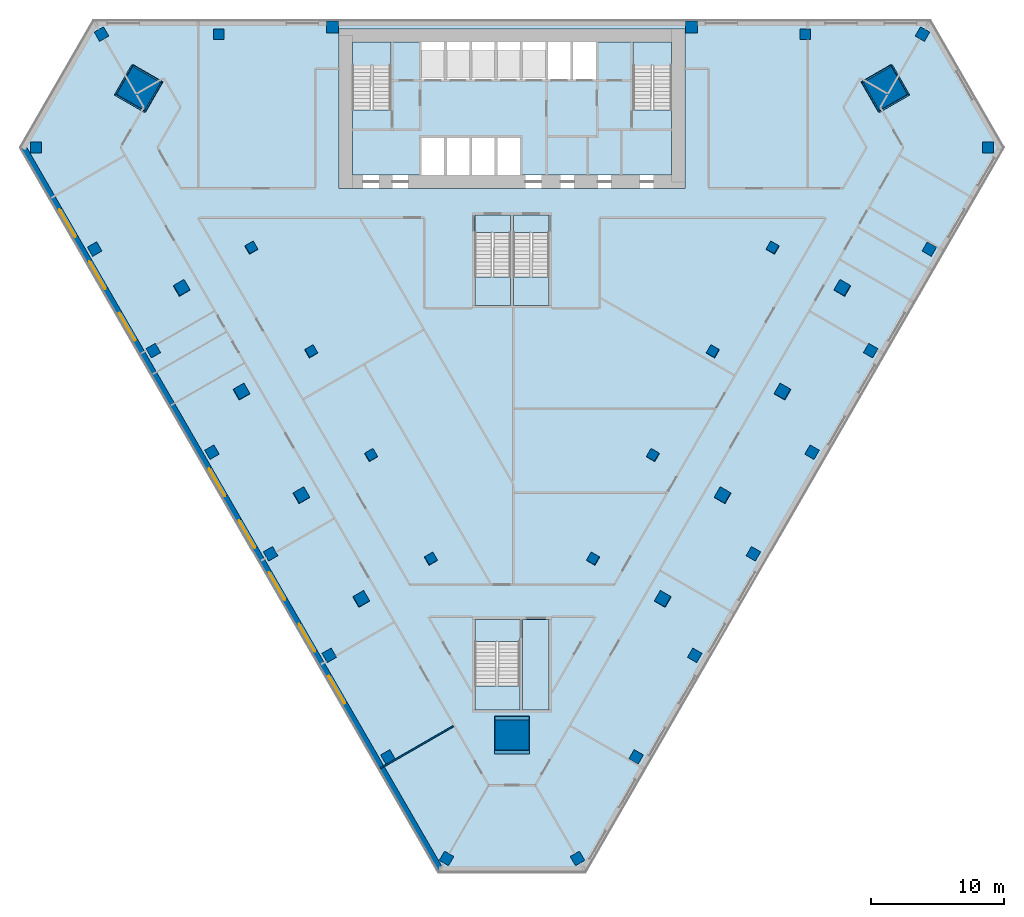
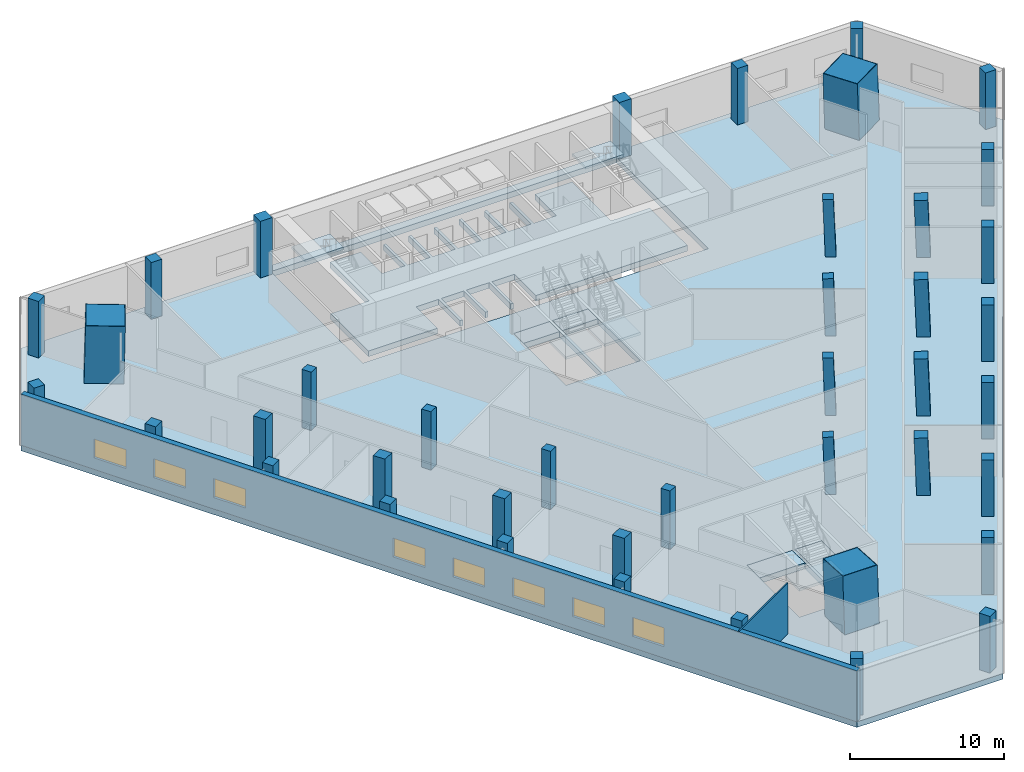
# One storey, part 1 of 9: 41 columns, 11 slabs, 8 windows, 3 members, 2 walls, 8 openings, 5 elements without a shape of their own.
"""IFC4 building model written with IfcOpenShell, lengths in metres."""

from ifc_helpers import new_model, si_unit, direction, frame, frame_2d, origin, origin_2d, place, context, subcontext, project, spatial, polyline, rectangle, hollow_rectangle, outline, extrude, material, layer, layer_set, material_profile, profile_set, type_object, element, fill, aggregate, save


model = new_model("IFC4")

# Units and contexts
model_context = context("Model", 3, precision=1e-05, world=origin(), true_north=direction((0.0, 1.0)))
body_context = subcontext(model_context, "Body", "Model", "MODEL_VIEW")
ifc_project = project(units=[si_unit("LENGTHUNIT", "METRE"), si_unit("AREAUNIT", "SQUARE_METRE"), si_unit("VOLUMEUNIT", "CUBIC_METRE"), si_unit("PLANEANGLEUNIT", "RADIAN"), si_unit("MASSUNIT", "GRAM", prefix="KILO")], contexts=[model_context])

# Site, building, storey
site_placement = place(None, origin())
site = spatial("IfcSite", under=ifc_project, at=site_placement, CompositionType="ELEMENT")
building_placement = place(site_placement, origin())
building = spatial("IfcBuilding", under=site, at=building_placement, Name="Altiplano Prism Tower", CompositionType="ELEMENT")
storey_placement = place(building_placement, frame((0.0, 0.0, 13.5)))
storey = spatial("IfcBuildingStorey", under=building, at=storey_placement, Name="L02", CompositionType="ELEMENT", Elevation=13.5)

# Columns
ifc_material_1 = material(Name="Concrete C60/75", Category="concrete")
ifc_material_profile_1 = material_profile(ifc_material_1, rectangle(XDim=0.699951171875, YDim=0.699951171875, at=origin_2d()), Name="Inner column 700")
ifc_profile_set_1 = profile_set([ifc_material_profile_1], Name="Concrete C60/75")
column_type_1 = type_object("IfcColumnType", Name="Inner column 700", PredefinedType="COLUMN", material=ifc_profile_set_1)
for number, where, z_axis, x_axis, name in (
    (1, (65.39208984375, 87.9208984375, -0.021240234375), (0.022221950523, 0.03848191432, 0.999012175694), (-0.865639849546, -0.499185981283, 0.038483853354), "Inner column I11 L02"),
    (2, (69.89208984375, 80.126708984375, -0.021240234375), (0.022221950523, 0.03848191432, 0.999012175694), (-0.865641997039, -0.499182264645, 0.038483757958), "Inner column I12 L02"),
    (3, (74.39208984375, 72.33251953125, -0.021240234375), (0.022221996839, 0.038427794534, 0.999014257888), (-0.865946623326, -0.498656758727, 0.038443237712), "Inner column I13 L02"),
    (4, (78.89208984375, 64.538330078125, -0.021240234375), (0.022221996839, 0.038427794534, 0.999014257888), (-0.865946623326, -0.498656758727, 0.038443237712), "Inner column I14 L02"),
    (5, (91.10791015625, 64.538330078125, -0.021240234375), (-0.022221996839, 0.038427794534, 0.999014257888), (-0.4996425006, -0.86594730878, 0.022195270002), "Inner column I21 L02"),
    (6, (95.60791015625, 72.33251953125, -0.021240234375), (-0.022221996839, 0.038427794534, 0.999014257888), (-0.499642470373, -0.865947326186, 0.022195271344), "Inner column I22 L02"),
    (7, (100.10791015625, 80.126708984375, -0.021240234375), (-0.022221950523, 0.03848191432, 0.999012175694), (-0.500170073839, -0.865642087712, 0.022218758247), "Inner column I23 L02"),
    (8, (104.60791015625, 87.9208984375, -0.021240234375), (-0.022221950523, 0.03848191432, 0.999012175694), (-0.500170073839, -0.865642087712, 0.022218758247), "Inner column I24 L02"),
):
    element("IfcColumn", number, at=place(storey_placement, frame(where, z_axis=z_axis, x_axis=x_axis)), inside=storey, type_object=column_type_1, Name=name, PredefinedType="COLUMN", context=body_context, shape_type="SweptSolid", body=[
        extrude(rectangle(XDim=0.699951171875, YDim=0.699951171875, at=origin_2d()), origin(), (0.0, 0.0, 1.0), 4.50439453125),
    ])
ifc_material_2 = material(Name="Concrete C70/85", Category="concrete")
ifc_material_profile_2 = material_profile(ifc_material_2, rectangle(XDim=2.52001953125, YDim=2.52001953125, at=origin_2d()), Name="Mega column infill 2600")
ifc_profile_set_2 = profile_set([ifc_material_profile_2], Name="Concrete C70/85")
column_type_2 = type_object("IfcColumnType", Name="Mega column infill 2600", PredefinedType="COLUMN", material=ifc_profile_set_2)
column_1_placement = place(storey_placement, frame((56.869384765625, 99.894775390625, 0.0), z_axis=(0.028361930921, 0.009273212596, 0.999554705057), x_axis=(-0.866194817713, 0.499308230352, 0.01994564791)))
element("IfcColumn", 9, at=column_1_placement, inside=storey, type_object=column_type_2, Name="Mega column M0 L02", PredefinedType="COLUMN", context=body_context, shape_type="SweptSolid", body=[
    extrude(rectangle(XDim=2.52001953125, YDim=2.52001953125, at=origin_2d()), origin(), (0.0, 0.0, 1.0), 4.501953125),
])
column_2_placement = place(storey_placement, frame((85.0, 51.171142578125, 0.0), z_axis=(0.0, 0.058331497301, 0.998297268564), x_axis=(-1.0, 0.0, 0.0)))
element("IfcColumn", 10, at=column_2_placement, inside=storey, type_object=column_type_2, Name="Mega column M1 L02", PredefinedType="COLUMN", context=body_context, shape_type="SweptSolid", body=[
    extrude(rectangle(XDim=2.52001953125, YDim=2.52001953125, at=origin_2d()), origin(), (0.0, 0.0, 1.0), 4.507568359375),
])
column_3_placement = place(storey_placement, frame((113.130615234375, 99.894775390625, 0.0), z_axis=(-0.028361930921, 0.009273212596, 0.999554705057), x_axis=(0.498900930689, -0.866374802629, 0.022193754232)))
element("IfcColumn", 11, at=column_3_placement, inside=storey, type_object=column_type_2, Name="Mega column M2 L02", PredefinedType="COLUMN", context=body_context, shape_type="SweptSolid", body=[
    extrude(rectangle(XDim=2.52001953125, YDim=2.52001953125, at=origin_2d()), origin(), (0.0, 0.0, 1.0), 4.501953125),
])
ifc_material_profile_3 = material_profile(ifc_material_1, rectangle(XDim=0.89990234375, YDim=0.89990234375, at=origin_2d()), Name="Perimeter column 900")
ifc_profile_set_3 = profile_set([ifc_material_profile_3], Name="Concrete C60/75")
column_type_3 = type_object("IfcColumnType", Name="Perimeter column 900", PredefinedType="COLUMN", material=ifc_profile_set_3)
for number, where, z_axis, x_axis, name in (
    (12, (98.5, 104.550048828125, 0.0), (0.0, 0.0, 1.0), (1.0, 0.0, 0.0), "Perimeter column P01 L02"),
    (13, (71.5, 104.550048828125, 0.0), (0.0, 0.0, 1.0), (1.0, 0.0, 0.0), "Perimeter column P04 L02"),
):
    element("IfcColumn", number, at=place(storey_placement, frame(where, z_axis=z_axis, x_axis=x_axis)), inside=storey, type_object=column_type_3, Name=name, PredefinedType="COLUMN", context=body_context, shape_type="SweptSolid", body=[
        extrude(rectangle(XDim=0.89990234375, YDim=0.89990234375, at=origin_2d()), origin(), (0.0, 0.0, 1.0), 4.5),
    ])
for number, where, z_axis, x_axis, name in (
    (14, (60.152587890625, 84.895751953125, -0.02734375), (0.022221996839, 0.038427794534, 0.999014257888), (-0.865947521527, -0.498655202022, 0.038443197811), "Perimeter column P11 L02"),
    (15, (64.652587890625, 77.1015625, -0.02734375), (0.022221996839, 0.038427794534, 0.999014257888), (-0.865947521527, -0.498655202022, 0.038443197811), "Perimeter column P12 L02"),
    (16, (69.152587890625, 69.307373046875, -0.02734375), (0.022221996839, 0.038427794534, 0.999014257888), (-0.865946623326, -0.498656758727, 0.038443237712), "Perimeter column P13 L02"),
    (17, (73.652587890625, 61.512939453125, -0.02734375), (0.022221950523, 0.03848191432, 0.999012175694), (-0.865641089157, -0.499183835908, 0.038483798288), "Perimeter column P14 L02"),
    (18, (96.347412109375, 61.512939453125, -0.02734375), (-0.022221950523, 0.03848191432, 0.999012175694), (-0.50017166021, -0.865641172911, 0.022218687721), "Perimeter column P21 L02"),
    (19, (100.847412109375, 69.307373046875, -0.02734375), (-0.022221996839, 0.038427794534, 0.999014257888), (-0.499642470373, -0.865947326186, 0.022195271344), "Perimeter column P22 L02"),
    (20, (105.347412109375, 77.1015625, -0.02734375), (-0.022221996839, 0.038427794534, 0.999014257888), (-0.499640913669, -0.865948222615, 0.022195340453), "Perimeter column P23 L02"),
    (21, (109.847412109375, 84.895751953125, -0.02734375), (-0.022221996839, 0.038427794534, 0.999014257888), (-0.499640913669, -0.865948222615, 0.022195340453), "Perimeter column P24 L02"),
):
    element("IfcColumn", number, at=place(storey_placement, frame(where, z_axis=z_axis, x_axis=x_axis)), inside=storey, type_object=column_type_3, Name=name, PredefinedType="COLUMN", context=body_context, shape_type="SweptSolid", body=[
        extrude(rectangle(XDim=0.89990234375, YDim=0.89990234375, at=origin_2d()), origin(), (0.0, 0.0, 1.0), 4.50439453125),
    ])
ifc_material_profile_4 = material_profile(ifc_material_1, rectangle(XDim=0.800048828125, YDim=0.800048828125, at=origin_2d()), Name="Podium column 800")
ifc_profile_set_4 = profile_set([ifc_material_profile_4], Name="Concrete C60/75")
column_type_4 = type_object("IfcColumnType", Name="Podium column 800", PredefinedType="COLUMN", material=ifc_profile_set_4)
for number, where, z_axis, x_axis, name in (
    (22, (115.85791015625, 104.0, 0.0), (0.0, 0.0, 1.0), (0.500000015115, 0.866025395058, 0.0), "PC Q01 L02"),
    (23, (107.041259765625, 104.0, 0.0), (0.0, 0.0, 1.0), (1.0, 0.0, 0.0), "PC Q02 L02"),
    (24, (62.958740234375, 104.0, 0.0), (0.0, 0.0, 1.0), (1.0, 0.0, 0.0), "PC Q07 L02"),
    (25, (54.14208984375, 104.0, 0.0), (0.0, 0.0, 1.0), (0.866025395058, 0.500000015115, 0.0), "PC Q08 L02"),
    (26, (49.219482421875, 95.4736328125, 0.0), (0.0, 0.0, 1.0), (1.0, 1.7453e-08, 0.0), "PC Q09 L02"),
    (27, (53.627685546875, 87.83837890625, 0.0), (0.0, 0.0, 1.0), (0.866025412511, 0.499999984885, 0.0), "PC Q10 L02"),
    (28, (58.035888671875, 80.203125, 0.0), (0.0, 0.0, 1.0), (0.866025412511, 0.499999984885, 0.0), "PC Q11 L02"),
    (29, (62.4443359375, 72.567626953125, 0.0), (0.0, 0.0, 1.0), (0.866025412511, 0.499999984885, 0.0), "PC Q12 L02"),
    (30, (66.8525390625, 64.932373046875, 0.0), (0.0, 0.0, 1.0), (0.866025412511, 0.499999984885, 0.0), "PC Q13 L02"),
    (31, (71.2607421875, 57.296875, 0.0), (0.0, 0.0, 1.0), (0.866025412511, 0.499999984885, 0.0), "PC Q14 L02"),
    (32, (75.669189453125, 49.66162109375, 0.0), (0.0, 0.0, 1.0), (0.866025412511, 0.499999984885, 0.0), "PC Q15 L02"),
    (33, (80.077392578125, 42.0263671875, 0.0), (0.0, 0.0, 1.0), (0.5, 0.866025403784, 0.0), "PC Q16 L02"),
    (34, (89.922607421875, 42.0263671875, 0.0), (0.0, 0.0, 1.0), (0.866025403784, 0.5, 0.0), "PC Q17 L02"),
    (35, (94.330810546875, 49.66162109375, 0.0), (0.0, 0.0, 1.0), (0.499999984885, 0.866025412511, 0.0), "PC Q18 L02"),
    (36, (98.7392578125, 57.296875, 0.0), (0.0, 0.0, 1.0), (0.499999984885, 0.866025412511, 0.0), "PC Q19 L02"),
    (37, (103.1474609375, 64.932373046875, 0.0), (0.0, 0.0, 1.0), (0.499999984885, 0.866025412511, 0.0), "PC Q20 L02"),
    (38, (107.5556640625, 72.567626953125, 0.0), (0.0, 0.0, 1.0), (0.499999984885, 0.866025412511, 0.0), "PC Q21 L02"),
    (39, (111.964111328125, 80.203125, 0.0), (0.0, 0.0, 1.0), (0.499999984885, 0.866025412511, 0.0), "PC Q22 L02"),
    (40, (116.372314453125, 87.83837890625, 0.0), (0.0, 0.0, 1.0), (0.499999984885, 0.866025412511, 0.0), "PC Q23 L02"),
    (41, (120.780517578125, 95.4736328125, 0.0), (0.0, 0.0, 1.0), (1.7453e-08, 1.0, 0.0), "PC Q24 L02"),
):
    element("IfcColumn", number, at=place(storey_placement, frame(where, z_axis=z_axis, x_axis=x_axis)), inside=storey, type_object=column_type_4, Name=name, PredefinedType="COLUMN", context=body_context, shape_type="SweptSolid", body=[
        extrude(rectangle(XDim=0.800048828125, YDim=0.800048828125, at=origin_2d()), origin(), (0.0, 0.0, 1.0), 4.5),
    ])

# Members
ifc_material_3 = material(Name="Steel S460", Category="steel")
ifc_material_profile_5 = material_profile(ifc_material_3, hollow_rectangle(XDim=2.60009765625, YDim=2.60009765625, WallThickness=0.0400390625, at=origin_2d()), Name="Mega column tube 2600")
ifc_profile_set_5 = profile_set([ifc_material_profile_5], Name="Steel S460")
member_type = type_object("IfcMemberType", Name="Mega column tube 2600", PredefinedType="POST", material=ifc_profile_set_5)
member_1_placement = place(storey_placement, frame((56.869384765625, 99.894775390625, 0.0), z_axis=(0.028361930921, 0.009273212596, 0.999554705057), x_axis=(-0.866194817713, 0.499308230352, 0.01994564791)))
element("IfcMember", 42, at=member_1_placement, inside=storey, type_object=member_type, Name="Mega column tube M0 L02", PredefinedType="POST", context=body_context, shape_type="SweptSolid", body=[
    extrude(hollow_rectangle(XDim=2.60009765625, YDim=2.60009765625, WallThickness=0.0400390625, at=origin_2d()), origin(), (0.0, 0.0, 1.0), 4.501953125),
])
member_2_placement = place(storey_placement, frame((85.0, 51.171142578125, 0.0), z_axis=(0.0, 0.058331497301, 0.998297268564), x_axis=(-1.0, 0.0, 0.0)))
element("IfcMember", 43, at=member_2_placement, inside=storey, type_object=member_type, Name="Mega column tube M1 L02", PredefinedType="POST", context=body_context, shape_type="SweptSolid", body=[
    extrude(hollow_rectangle(XDim=2.60009765625, YDim=2.60009765625, WallThickness=0.0400390625, at=origin_2d()), origin(), (0.0, 0.0, 1.0), 4.507568359375),
])
member_3_placement = place(storey_placement, frame((113.130615234375, 99.894775390625, 0.0), z_axis=(-0.028361930921, 0.009273212596, 0.999554705057), x_axis=(0.498900930689, -0.866374802629, 0.022193754232)))
element("IfcMember", 44, at=member_3_placement, inside=storey, type_object=member_type, Name="Mega column tube M2 L02", PredefinedType="POST", context=body_context, shape_type="SweptSolid", body=[
    extrude(hollow_rectangle(XDim=2.60009765625, YDim=2.60009765625, WallThickness=0.0400390625, at=origin_2d()), origin(), (0.0, 0.0, 1.0), 4.501953125),
])

# Slabs
ifc_material_4 = material(Name="Concrete C40/50", Category="concrete")
ifc_layer_1 = layer(ifc_material_4, 0.449951171875)
ifc_layer_set_1 = layer_set([ifc_layer_1], Name="Concrete C40/50")
slab_type_1 = type_object("IfcSlabType", Name="Core floor slab 450", PredefinedType="FLOOR", material=ifc_layer_set_1)
slab_1_placement = place(storey_placement, frame((0.0, 0.0, -0.449951171875)))
element("IfcSlab", 45, at=slab_1_placement, inside=storey, type_object=slab_type_1, Name="Core floor slab L02", PredefinedType="FLOOR", context=body_context, shape_type="SweptSolid", body=[
    extrude(outline(polyline([(97.0, 98.31005859375), (94.10009765625, 98.31005859375), (94.10009765625, 103.39990234375), (91.300048828125, 103.39990234375), (91.300048828125, 100.60009765625), (89.60009765625, 100.60009765625), (89.60009765625, 103.39990234375), (89.39990234375, 103.39990234375), (89.39990234375, 100.60009765625), (87.699951171875, 100.60009765625), (87.699951171875, 103.39990234375), (87.5, 103.39990234375), (87.5, 100.60009765625), (85.800048828125, 100.60009765625), (85.800048828125, 103.39990234375), (85.60009765625, 103.39990234375), (85.60009765625, 100.60009765625), (83.89990234375, 100.60009765625), (83.89990234375, 103.39990234375), (83.699951171875, 103.39990234375), (83.699951171875, 100.60009765625), (82.0, 100.60009765625), (82.0, 103.39990234375), (81.800048828125, 103.39990234375), (81.800048828125, 100.60009765625), (80.10009765625, 100.60009765625), (80.10009765625, 103.39990234375), (79.89990234375, 103.39990234375), (79.89990234375, 100.60009765625), (78.199951171875, 100.60009765625), (78.199951171875, 103.39990234375), (75.89990234375, 103.39990234375), (75.89990234375, 98.31005859375), (73.0, 98.31005859375), (73.0, 93.39990234375), (78.199951171875, 93.39990234375), (78.199951171875, 96.199951171875), (79.89990234375, 96.199951171875), (79.89990234375, 93.39990234375), (80.10009765625, 93.39990234375), (80.10009765625, 96.199951171875), (81.800048828125, 96.199951171875), (81.800048828125, 93.39990234375), (82.0, 93.39990234375), (82.0, 96.199951171875), (83.699951171875, 96.199951171875), (83.699951171875, 93.39990234375), (83.89990234375, 93.39990234375), (83.89990234375, 96.199951171875), (85.60009765625, 96.199951171875), (85.60009765625, 93.39990234375), (97.0, 93.39990234375), (97.0, 98.31005859375)])), origin(), (0.0, 0.0, 1.0), 0.449951171875),
])
slab_2_placement = place(storey_placement, frame((0.0, 0.0, -0.449951171875)))
element("IfcSlab", 46, at=slab_2_placement, inside=storey, type_object=slab_type_1, Name="Stair 3A landing slab L02", PredefinedType="FLOOR", context=body_context, shape_type="SweptSolid", body=[
    extrude(outline(polyline([(82.199951171875, 89.096923828125), (84.89990234375, 89.096923828125), (84.89990234375, 90.39990234375), (82.199951171875, 90.39990234375), (82.199951171875, 89.096923828125)])), origin(), (0.0, 0.0, 1.0), 0.449951171875),
])
slab_3_placement = place(storey_placement, frame((0.0, 0.0, -0.449951171875)))
element("IfcSlab", 47, at=slab_3_placement, inside=storey, type_object=slab_type_1, Name="Stair 3B landing slab L02", PredefinedType="FLOOR", context=body_context, shape_type="SweptSolid", body=[
    extrude(outline(polyline([(85.10009765625, 89.096923828125), (87.800048828125, 89.096923828125), (87.800048828125, 90.39990234375), (85.10009765625, 90.39990234375), (85.10009765625, 89.096923828125)])), origin(), (0.0, 0.0, 1.0), 0.449951171875),
])
slab_4_placement = place(storey_placement, frame((0.0, 0.0, -0.449951171875)))
element("IfcSlab", 48, at=slab_4_placement, inside=storey, type_object=slab_type_1, Name="Stair 4 landing slab L02", PredefinedType="FLOOR", context=body_context, shape_type="SweptSolid", body=[
    extrude(outline(polyline([(82.199951171875, 58.346923828125), (85.60009765625, 58.346923828125), (85.60009765625, 60.0), (82.199951171875, 60.0), (82.199951171875, 58.346923828125)])), origin(), (0.0, 0.0, 1.0), 0.449951171875),
])
slab_5_placement = place(storey_placement, frame((0.0, 0.0, -0.449951171875)))
element("IfcSlab", 49, at=slab_5_placement, inside=storey, type_object=slab_type_1, Name="Stair 4 lobby slab L02", PredefinedType="FLOOR", context=body_context, shape_type="SweptSolid", body=[
    extrude(outline(polyline([(85.800048828125, 53.199951171875), (87.800048828125, 53.199951171875), (87.800048828125, 60.0), (85.800048828125, 60.0), (85.800048828125, 53.199951171875)])), origin(), (0.0, 0.0, 1.0), 0.449951171875),
])
ifc_layer_2 = layer(ifc_material_4, 0.449951171875)
ifc_layer_set_2 = layer_set([ifc_layer_2], Name="Concrete C40/50")
slab_type_2 = type_object("IfcSlabType", Name="Post-tensioned flat slab 450", PredefinedType="FLOOR", material=ifc_layer_set_2)
slab_6_placement = place(storey_placement, frame((0.0, 0.0, -0.449951171875)))
element("IfcSlab", 50, at=slab_6_placement, inside=storey, type_object=slab_type_2, Name="Floor slab L02", PredefinedType="FLOOR", context=body_context, shape_type="SweptSolid", body=[
    extrude(outline(polyline([(53.564697265625, 105.0), (116.435302734375, 105.0), (121.935302734375, 95.4736328125), (90.5, 41.0263671875), (79.5, 41.0263671875), (48.064697265625, 95.4736328125), (53.564697265625, 105.0)]), holes=[polyline([(98.0, 92.39990234375), (98.0, 104.39990234375), (72.0, 104.39990234375), (72.0, 92.39990234375), (98.0, 92.39990234375)]), polyline([(82.199951171875, 83.60009765625), (84.89990234375, 83.60009765625), (84.89990234375, 90.39990234375), (82.199951171875, 90.39990234375), (82.199951171875, 83.60009765625)]), polyline([(85.10009765625, 90.39990234375), (85.10009765625, 83.60009765625), (87.800048828125, 83.60009765625), (87.800048828125, 90.39990234375), (85.10009765625, 90.39990234375)]), polyline([(85.60009765625, 60.0), (82.199951171875, 60.0), (82.199951171875, 53.199951171875), (85.60009765625, 53.199951171875), (85.60009765625, 60.0)]), polyline([(87.800048828125, 53.199951171875), (87.800048828125, 60.0), (85.800048828125, 60.0), (85.800048828125, 53.199951171875), (87.800048828125, 53.199951171875)])]), origin(), (0.0, 0.0, 1.0), 0.449951171875),
])

# Stair, slab
stair_type_1 = type_object("IfcStairType", Name="Exit stair 1400", PredefinedType="HALF_TURN_STAIR", material=ifc_material_4)
stair_1_placement = place(storey_placement, origin())
stair_1 = element("IfcStair", 51, at=stair_1_placement, inside=storey, type_object=stair_type_1, Name="L02 Exit Stair 1", PredefinedType="HALF_TURN_STAIR")
ifc_layer_3 = layer(ifc_material_4, 0.199951171875)
ifc_layer_set_3 = layer_set([ifc_layer_3], Name="Concrete C40/50")
slab_type_3 = type_object("IfcSlabType", Name="Stair landing 200", PredefinedType="LANDING", material=ifc_layer_set_3)
slab_7_placement = place(storey_placement, frame((0.0, 0.0, 2.050048828125)))
slab_7 = element("IfcSlab", 52, at=slab_7_placement, type_object=slab_type_3, Name="ST1 landing 1", PredefinedType="LANDING", context=body_context, shape_type="SweptSolid", body=[
    extrude(outline(polyline([(75.89990234375, 101.656982421875), (75.89990234375, 103.39990234375), (73.0, 103.39990234375), (73.0, 101.656982421875), (75.89990234375, 101.656982421875)])), origin(), (0.0, 0.0, 1.0), 0.199951171875),
])
aggregate(stair_1, [slab_7])

stair_2_placement = place(storey_placement, origin())
stair_2 = element("IfcStair", 53, at=stair_2_placement, inside=storey, type_object=stair_type_1, Name="L02 Exit Stair 2", PredefinedType="HALF_TURN_STAIR")
slab_8_placement = place(storey_placement, frame((0.0, 0.0, 2.050048828125)))
slab_8 = element("IfcSlab", 54, at=slab_8_placement, type_object=slab_type_3, Name="ST2 landing 1", PredefinedType="LANDING", context=body_context, shape_type="SweptSolid", body=[
    extrude(outline(polyline([(97.0, 101.656982421875), (97.0, 103.39990234375), (94.10009765625, 103.39990234375), (94.10009765625, 101.656982421875), (97.0, 101.656982421875)])), origin(), (0.0, 0.0, 1.0), 0.199951171875),
])
aggregate(stair_2, [slab_8])

stair_type_2 = type_object("IfcStairType", Name="Exit stair 1300", PredefinedType="HALF_TURN_STAIR", material=ifc_material_4)
stair_3_placement = place(storey_placement, origin())
stair_3 = element("IfcStair", 55, at=stair_3_placement, inside=storey, type_object=stair_type_2, Name="L02 Exit Stair 3A", PredefinedType="HALF_TURN_STAIR")
slab_9_placement = place(storey_placement, frame((0.0, 0.0, 2.050048828125)))
slab_9 = element("IfcSlab", 56, at=slab_9_placement, type_object=slab_type_3, Name="ST3A landing 1", PredefinedType="LANDING", context=body_context, shape_type="SweptSolid", body=[
    extrude(outline(polyline([(82.199951171875, 85.742919921875), (82.199951171875, 83.60009765625), (84.89990234375, 83.60009765625), (84.89990234375, 85.742919921875), (82.199951171875, 85.742919921875)])), origin(), (0.0, 0.0, 1.0), 0.199951171875),
])
aggregate(stair_3, [slab_9])

stair_4_placement = place(storey_placement, origin())
stair_4 = element("IfcStair", 57, at=stair_4_placement, inside=storey, type_object=stair_type_2, Name="L02 Exit Stair 3B", PredefinedType="HALF_TURN_STAIR")
slab_10_placement = place(storey_placement, frame((0.0, 0.0, 2.050048828125)))
slab_10 = element("IfcSlab", 58, at=slab_10_placement, type_object=slab_type_3, Name="ST3B landing 1", PredefinedType="LANDING", context=body_context, shape_type="SweptSolid", body=[
    extrude(outline(polyline([(85.10009765625, 85.742919921875), (85.10009765625, 83.60009765625), (87.800048828125, 83.60009765625), (87.800048828125, 85.742919921875), (85.10009765625, 85.742919921875)])), origin(), (0.0, 0.0, 1.0), 0.199951171875),
])
aggregate(stair_4, [slab_10])

stair_type_3 = type_object("IfcStairType", Name="Exit stair 1650", PredefinedType="HALF_TURN_STAIR", material=ifc_material_4)
stair_5_placement = place(storey_placement, origin())
stair_5 = element("IfcStair", 59, at=stair_5_placement, inside=storey, type_object=stair_type_3, Name="L02 Exit Stair 4", PredefinedType="HALF_TURN_STAIR")
slab_11_placement = place(storey_placement, frame((0.0, 0.0, 2.050048828125)))
slab_11 = element("IfcSlab", 60, at=slab_11_placement, type_object=slab_type_3, Name="ST4 landing 1", PredefinedType="LANDING", context=body_context, shape_type="SweptSolid", body=[
    extrude(outline(polyline([(82.199951171875, 54.992919921875), (82.199951171875, 53.199951171875), (85.60009765625, 53.199951171875), (85.60009765625, 54.992919921875), (82.199951171875, 54.992919921875)])), origin(), (0.0, 0.0, 1.0), 0.199951171875),
])
aggregate(stair_5, [slab_11])

# Wall
ifc_material_5 = material(Name="Plasterboard on steel stud", Category="steel")
ifc_layer_4 = layer(ifc_material_5, 0.10009765625)
ifc_layer_set_4 = layer_set([ifc_layer_4], Name="Plasterboard on steel stud")
wall_type_1 = type_object("IfcWallType", Name="Partition 100 wet", PredefinedType="PARTITIONING", material=ifc_layer_set_4)
wall_1_placement = place(storey_placement, frame((75.118896484375, 48.814453125, 0.0), z_axis=(0.0, 0.0, 1.0), x_axis=(0.866025537322, 0.499999768706, 0.0)))
element("IfcWall", 61, at=wall_1_placement, inside=storey, type_object=wall_type_1, Name="Partition P03 L02 042", PredefinedType="PARTITIONING", context=body_context, shape_type="SweptSolid", body=[
    extrude(rectangle(XDim=6.3251953125, YDim=0.10009765625, at=frame_2d((3.16259765625, 0.0))), origin(), (0.0, 0.0, 1.0), 4.050048828125),
])

# Wall, openings, windows
ifc_material_6 = material(Name="Concrete C40", Category="concrete")
ifc_layer_5 = layer(ifc_material_6, 0.39990234375)
ifc_layer_set_5 = layer_set([ifc_layer_5], Name="Concrete C40")
wall_type_2 = type_object("IfcWallType", Name="Stone-clad podium wall 400", PredefinedType="SOLIDWALL", material=ifc_layer_set_5)
wall_2_placement = place(storey_placement, frame((79.673095703125, 41.126220703125, 0.0), z_axis=(0.0, 0.0, 1.0), x_axis=(-0.499997306052, 0.866026959131, 0.0)))
wall_2 = element("IfcWall", 62, at=wall_2_placement, inside=storey, type_object=wall_type_2, Name="External wall south-west face L02", PredefinedType="SOLIDWALL", context=body_context, shape_type="SweptSolid", body=[
    extrude(rectangle(XDim=62.870361328125, YDim=0.39990234375, at=frame_2d((31.43505859375, 0.0))), origin(), (0.0, 0.0, 1.0), 4.050048828125),
])
opening_1_placement = place(wall_2_placement, frame((54.985595703125, 0.0, 0.89990234375)))
opening_1 = element("IfcOpeningElement", 63, at=opening_1_placement, cuts=wall_2, Name="Opening W1", PredefinedType="OPENING", context=body_context, shape_type="SweptSolid", body=[
    extrude(rectangle(XDim=2.39990234375, YDim=1.5, at=frame_2d((1.199951171875, 0.75))), frame((0.0, 0.21044921875, 0.0), z_axis=(0.0, -1.0, 0.0), x_axis=(1.0, 0.0, 0.0)), (0.0, 0.0, 1.0), 0.4208984375),
])
opening_2_placement = place(wall_2_placement, frame((50.485595703125, 0.0, 0.89990234375)))
opening_2 = element("IfcOpeningElement", 64, at=opening_2_placement, cuts=wall_2, Name="Opening W1", PredefinedType="OPENING", context=body_context, shape_type="SweptSolid", body=[
    extrude(rectangle(XDim=2.39990234375, YDim=1.5, at=frame_2d((1.199951171875, 0.75))), frame((0.0, 0.21044921875, 0.0), z_axis=(0.0, -1.0, 0.0), x_axis=(1.0, 0.0, 0.0)), (0.0, 0.0, 1.0), 0.4208984375),
])
opening_3_placement = place(wall_2_placement, frame((45.985595703125, 0.0, 0.89990234375)))
opening_3 = element("IfcOpeningElement", 65, at=opening_3_placement, cuts=wall_2, Name="Opening W1", PredefinedType="OPENING", context=body_context, shape_type="SweptSolid", body=[
    extrude(rectangle(XDim=2.39990234375, YDim=1.5, at=frame_2d((1.199951171875, 0.75))), frame((0.0, 0.21044921875, 0.0), z_axis=(0.0, -1.0, 0.0), x_axis=(1.0, 0.0, 0.0)), (0.0, 0.0, 1.0), 0.4208984375),
])
opening_4_placement = place(wall_2_placement, frame((32.485595703125, 0.0, 0.89990234375)))
opening_4 = element("IfcOpeningElement", 66, at=opening_4_placement, cuts=wall_2, Name="Opening W1", PredefinedType="OPENING", context=body_context, shape_type="SweptSolid", body=[
    extrude(rectangle(XDim=2.39990234375, YDim=1.5, at=frame_2d((1.199951171875, 0.75))), frame((0.0, 0.21044921875, 0.0), z_axis=(0.0, -1.0, 0.0), x_axis=(1.0, 0.0, 0.0)), (0.0, 0.0, 1.0), 0.4208984375),
])
opening_5_placement = place(wall_2_placement, frame((27.985595703125, 0.0, 0.89990234375)))
opening_5 = element("IfcOpeningElement", 67, at=opening_5_placement, cuts=wall_2, Name="Opening W1", PredefinedType="OPENING", context=body_context, shape_type="SweptSolid", body=[
    extrude(rectangle(XDim=2.39990234375, YDim=1.5, at=frame_2d((1.199951171875, 0.75))), frame((0.0, 0.21044921875, 0.0), z_axis=(0.0, -1.0, 0.0), x_axis=(1.0, 0.0, 0.0)), (0.0, 0.0, 1.0), 0.4208984375),
])
opening_6_placement = place(wall_2_placement, frame((23.485595703125, 0.0, 0.89990234375)))
opening_6 = element("IfcOpeningElement", 68, at=opening_6_placement, cuts=wall_2, Name="Opening W1", PredefinedType="OPENING", context=body_context, shape_type="SweptSolid", body=[
    extrude(rectangle(XDim=2.39990234375, YDim=1.5, at=frame_2d((1.199951171875, 0.75))), frame((0.0, 0.21044921875, 0.0), z_axis=(0.0, -1.0, 0.0), x_axis=(1.0, 0.0, 0.0)), (0.0, 0.0, 1.0), 0.4208984375),
])
opening_7_placement = place(wall_2_placement, frame((18.985595703125, 0.0, 0.89990234375)))
opening_7 = element("IfcOpeningElement", 69, at=opening_7_placement, cuts=wall_2, Name="Opening W1", PredefinedType="OPENING", context=body_context, shape_type="SweptSolid", body=[
    extrude(rectangle(XDim=2.39990234375, YDim=1.5, at=frame_2d((1.199951171875, 0.75))), frame((0.0, 0.21044921875, 0.0), z_axis=(0.0, -1.0, 0.0), x_axis=(1.0, 0.0, 0.0)), (0.0, 0.0, 1.0), 0.4208984375),
])
opening_8_placement = place(wall_2_placement, frame((14.485595703125, 0.0, 0.89990234375)))
opening_8 = element("IfcOpeningElement", 70, at=opening_8_placement, cuts=wall_2, Name="Opening W1", PredefinedType="OPENING", context=body_context, shape_type="SweptSolid", body=[
    extrude(rectangle(XDim=2.39990234375, YDim=1.5, at=frame_2d((1.199951171875, 0.75))), frame((0.0, 0.21044921875, 0.0), z_axis=(0.0, -1.0, 0.0), x_axis=(1.0, 0.0, 0.0)), (0.0, 0.0, 1.0), 0.4208984375),
])
ifc_material_7 = material(Name="Glass", Category="glass")
window_type = type_object("IfcWindowType", Name="Window 2400 x 1500", PartitioningType="SINGLE_PANEL", PredefinedType="WINDOW", material=ifc_material_7)
window_1_placement = place(opening_1_placement, origin())
window_1 = element("IfcWindow", 71, at=window_1_placement, inside=storey, type_object=window_type, Name="Podium window L02", OverallHeight=1.5, OverallWidth=2.39990234375, PartitioningType="SINGLE_PANEL", PredefinedType="WINDOW", context=body_context, shape_type="SweptSolid", body=[
    extrude(rectangle(XDim=2.39990234375, YDim=1.5, at=frame_2d((1.199951171875, 0.75))), frame((0.0, 0.030029296875, 0.0), z_axis=(0.0, -1.0, 0.0), x_axis=(1.0, 0.0, 0.0)), (0.0, 0.0, 1.0), 0.06005859375),
])
fill(opening_1, window_1)
window_2_placement = place(opening_2_placement, origin())
window_2 = element("IfcWindow", 72, at=window_2_placement, inside=storey, type_object=window_type, Name="Podium window L02", OverallHeight=1.5, OverallWidth=2.39990234375, PartitioningType="SINGLE_PANEL", PredefinedType="WINDOW", context=body_context, shape_type="SweptSolid", body=[
    extrude(rectangle(XDim=2.39990234375, YDim=1.5, at=frame_2d((1.199951171875, 0.75))), frame((0.0, 0.030029296875, 0.0), z_axis=(0.0, -1.0, 0.0), x_axis=(1.0, 0.0, 0.0)), (0.0, 0.0, 1.0), 0.06005859375),
])
fill(opening_2, window_2)
window_3_placement = place(opening_3_placement, origin())
window_3 = element("IfcWindow", 73, at=window_3_placement, inside=storey, type_object=window_type, Name="Podium window L02", OverallHeight=1.5, OverallWidth=2.39990234375, PartitioningType="SINGLE_PANEL", PredefinedType="WINDOW", context=body_context, shape_type="SweptSolid", body=[
    extrude(rectangle(XDim=2.39990234375, YDim=1.5, at=frame_2d((1.199951171875, 0.75))), frame((0.0, 0.030029296875, 0.0), z_axis=(0.0, -1.0, 0.0), x_axis=(1.0, 0.0, 0.0)), (0.0, 0.0, 1.0), 0.06005859375),
])
fill(opening_3, window_3)
window_4_placement = place(opening_4_placement, origin())
window_4 = element("IfcWindow", 74, at=window_4_placement, inside=storey, type_object=window_type, Name="Podium window L02", OverallHeight=1.5, OverallWidth=2.39990234375, PartitioningType="SINGLE_PANEL", PredefinedType="WINDOW", context=body_context, shape_type="SweptSolid", body=[
    extrude(rectangle(XDim=2.39990234375, YDim=1.5, at=frame_2d((1.199951171875, 0.75))), frame((0.0, 0.030029296875, 0.0), z_axis=(0.0, -1.0, 0.0), x_axis=(1.0, 0.0, 0.0)), (0.0, 0.0, 1.0), 0.06005859375),
])
fill(opening_4, window_4)
window_5_placement = place(opening_5_placement, origin())
window_5 = element("IfcWindow", 75, at=window_5_placement, inside=storey, type_object=window_type, Name="Podium window L02", OverallHeight=1.5, OverallWidth=2.39990234375, PartitioningType="SINGLE_PANEL", PredefinedType="WINDOW", context=body_context, shape_type="SweptSolid", body=[
    extrude(rectangle(XDim=2.39990234375, YDim=1.5, at=frame_2d((1.199951171875, 0.75))), frame((0.0, 0.030029296875, 0.0), z_axis=(0.0, -1.0, 0.0), x_axis=(1.0, 0.0, 0.0)), (0.0, 0.0, 1.0), 0.06005859375),
])
fill(opening_5, window_5)
window_6_placement = place(opening_6_placement, origin())
window_6 = element("IfcWindow", 76, at=window_6_placement, inside=storey, type_object=window_type, Name="Podium window L02", OverallHeight=1.5, OverallWidth=2.39990234375, PartitioningType="SINGLE_PANEL", PredefinedType="WINDOW", context=body_context, shape_type="SweptSolid", body=[
    extrude(rectangle(XDim=2.39990234375, YDim=1.5, at=frame_2d((1.199951171875, 0.75))), frame((0.0, 0.030029296875, 0.0), z_axis=(0.0, -1.0, 0.0), x_axis=(1.0, 0.0, 0.0)), (0.0, 0.0, 1.0), 0.06005859375),
])
fill(opening_6, window_6)
window_7_placement = place(opening_7_placement, origin())
window_7 = element("IfcWindow", 77, at=window_7_placement, inside=storey, type_object=window_type, Name="Podium window L02", OverallHeight=1.5, OverallWidth=2.39990234375, PartitioningType="SINGLE_PANEL", PredefinedType="WINDOW", context=body_context, shape_type="SweptSolid", body=[
    extrude(rectangle(XDim=2.39990234375, YDim=1.5, at=frame_2d((1.199951171875, 0.75))), frame((0.0, 0.030029296875, 0.0), z_axis=(0.0, -1.0, 0.0), x_axis=(1.0, 0.0, 0.0)), (0.0, 0.0, 1.0), 0.06005859375),
])
fill(opening_7, window_7)
window_8_placement = place(opening_8_placement, origin())
window_8 = element("IfcWindow", 78, at=window_8_placement, inside=storey, type_object=window_type, Name="Podium window L02", OverallHeight=1.5, OverallWidth=2.39990234375, PartitioningType="SINGLE_PANEL", PredefinedType="WINDOW", context=body_context, shape_type="SweptSolid", body=[
    extrude(rectangle(XDim=2.39990234375, YDim=1.5, at=frame_2d((1.199951171875, 0.75))), frame((0.0, 0.030029296875, 0.0), z_axis=(0.0, -1.0, 0.0), x_axis=(1.0, 0.0, 0.0)), (0.0, 0.0, 1.0), 0.06005859375),
])
fill(opening_8, window_8)

save(model, "model.ifc")
